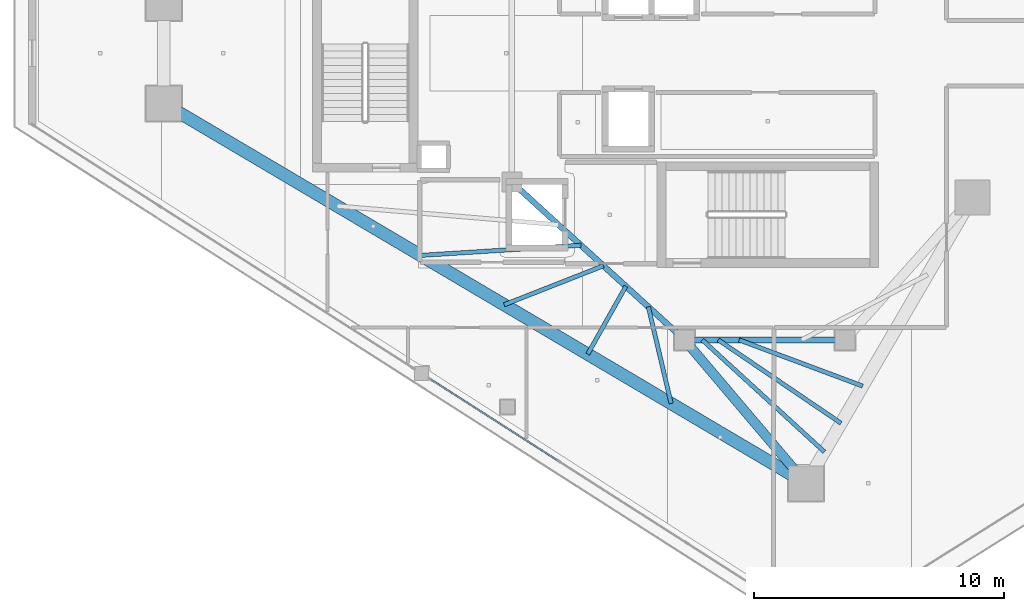
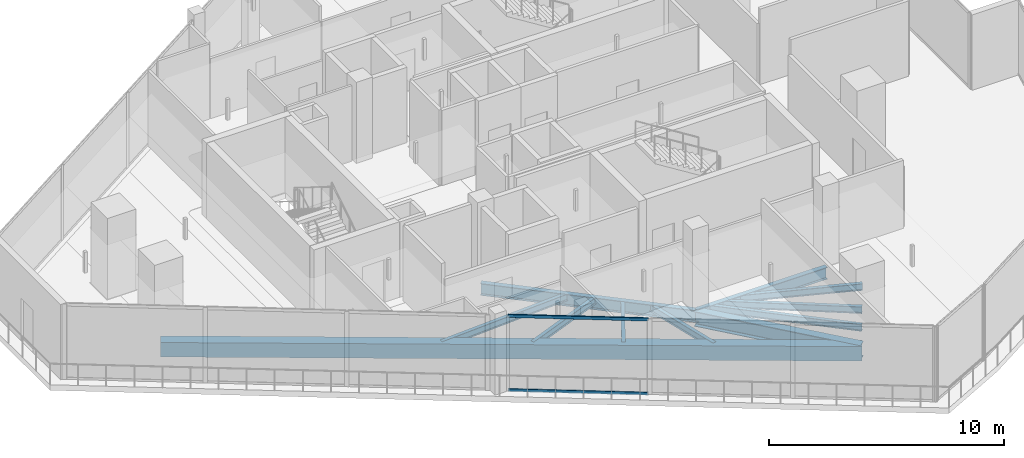
# One storey, part 4 of 25: 11 beams, 2 members, 1 element without a shape of its own.
"""IFC4 building model written with IfcOpenShell, lengths in metres."""

from ifc_helpers import new_model, si_unit, direction, frame, origin, origin_2d, place, context, subcontext, project, spatial, rectangle, hollow_rectangle, i_section, extrude, material, layer, layer_set, material_profile, profile_set, type_object, element, aggregate, save


model = new_model("IFC4")

# Units and contexts
model_context = context("Model", 3, precision=1e-05, world=origin(), true_north=direction((0.0, 1.0)))
body_context = subcontext(model_context, "Body", "Model", "MODEL_VIEW")
ifc_project = project(units=[si_unit("LENGTHUNIT", "METRE"), si_unit("AREAUNIT", "SQUARE_METRE"), si_unit("VOLUMEUNIT", "CUBIC_METRE"), si_unit("PLANEANGLEUNIT", "RADIAN"), si_unit("MASSUNIT", "GRAM", prefix="KILO")], contexts=[model_context])

# Site, building, storey
site_placement = place(None, origin())
site = spatial("IfcSite", under=ifc_project, at=site_placement, CompositionType="ELEMENT")
building_placement = place(site_placement, origin())
building = spatial("IfcBuilding", under=site, at=building_placement, Name="Qorvath Tower", CompositionType="ELEMENT")
storey_placement = place(building_placement, frame((0.0, 0.0, 297.60009765625)))
storey = spatial("IfcBuildingStorey", under=building, at=storey_placement, Name="L69", CompositionType="ELEMENT", Elevation=297.60009765625)

# Beams
ifc_material_1 = material(Name="Steel ASTM A992 Grade 50", Category="steel")
ifc_material_profile_1 = material_profile(ifc_material_1, i_section(OverallWidth=0.381103515625, OverallDepth=0.77294921875, WebThickness=0.0166015625, FlangeThickness=0.027099609375, FilletRadius=0.01904296875, at=origin_2d()), Name="W30x173")
ifc_profile_set_1 = profile_set([ifc_material_profile_1], Name="Steel ASTM A992 Grade 50")
beam_type_1 = type_object("IfcBeamType", Name="BM-FG3", PredefinedType="BEAM", material=ifc_profile_set_1)
beam_1_placement = place(storey_placement, frame((-23.60009765625, -11.449951171875, -0.676513671875), z_axis=(0.646321389876, -0.763065305848, 0.0), x_axis=(0.763065305848, 0.646321389876, 0.0)))
element("IfcBeam", 1, at=beam_1_placement, inside=storey, type_object=beam_type_1, Name="Radial Floor Girder CC4-MC3 L69", PredefinedType="BEAM", context=body_context, shape_type="SweptSolid", body=[
    extrude(i_section(OverallWidth=0.381103515625, OverallDepth=0.77294921875, WebThickness=0.0166015625, FlangeThickness=0.027099609375, FilletRadius=0.01904296875, at=origin_2d()), origin(), (0.0, 0.0, 1.0), 7.50341796875),
])
ifc_material_2 = material(Name="Steel ASTM A992 Grade 50", Category="steel")
ifc_material_profile_2 = material_profile(ifc_material_2, i_section(OverallWidth=0.22998046875, OverallDepth=0.616943359375, WebThickness=0.01318359375, FlangeThickness=0.022216796875, FilletRadius=0.014892578125, at=origin_2d()), Name="W24x94")
ifc_profile_set_2 = profile_set([ifc_material_profile_2], Name="Steel ASTM A992 Grade 50")
beam_type_2 = type_object("IfcBeamType", Name="BM-FG6", PredefinedType="BEAM", material=ifc_profile_set_2)
beam_2_placement = place(storey_placement, frame((-17.199951171875, -11.449951171875, -0.598388671875), z_axis=(-1.0, 0.0, 0.0), x_axis=(0.0, -1.0, 0.0)))
element("IfcBeam", 2, at=beam_2_placement, inside=storey, type_object=beam_type_2, Name="Core Ring Girder CC3-CC4 L69", PredefinedType="BEAM", context=body_context, shape_type="SweptSolid", body=[
    extrude(i_section(OverallWidth=0.22998046875, OverallDepth=0.616943359375, WebThickness=0.01318359375, FlangeThickness=0.022216796875, FilletRadius=0.014892578125, at=origin_2d()), origin(), (0.0, 0.0, 1.0), 6.400146484375),
])
beam_3_placement = place(storey_placement, frame((-23.60009765625, -11.449951171875, -0.598388671875), z_axis=(-0.73847813985, 0.6742774184, 0.0), x_axis=(-0.6742774184, -0.73847813985, 0.0)))
element("IfcBeam", 3, at=beam_3_placement, inside=storey, type_object=beam_type_2, Name="Core Ring Girder CC4-CC6 L69", PredefinedType="BEAM", context=body_context, shape_type="SweptSolid", body=[
    extrude(i_section(OverallWidth=0.22998046875, OverallDepth=0.616943359375, WebThickness=0.01318359375, FlangeThickness=0.022216796875, FilletRadius=0.014892578125, at=origin_2d()), origin(), (0.0, 0.0, 1.0), 9.343505859375),
])
ifc_material_3 = material(Name="Steel ASTM A992 Grade 50", Category="steel")
ifc_material_profile_3 = material_profile(ifc_material_3, i_section(OverallWidth=0.1708984375, OverallDepth=0.35107421875, WebThickness=0.0068359375, FlangeThickness=0.009765625, FilletRadius=0.010009765625, at=origin_2d()), Name="W14x30")
ifc_profile_set_3 = profile_set([ifc_material_profile_3], Name="Steel ASTM A992 Grade 50")
beam_type_3 = type_object("IfcBeamType", Name="BM-FJ4", PredefinedType="JOIST", material=ifc_profile_set_3)
beam_4_placement = place(storey_placement, frame((-21.424072265625, -11.449951171875, -0.465576171875), z_axis=(0.936775909139, -0.349929844478, 0.0), x_axis=(0.349929844478, 0.936775909139, 0.0)))
element("IfcBeam", 4, at=beam_4_placement, inside=storey, type_object=beam_type_3, Name="Composite Floor Joist SE5 L69", PredefinedType="JOIST", context=body_context, shape_type="SweptSolid", body=[
    extrude(i_section(OverallWidth=0.1708984375, OverallDepth=0.35107421875, WebThickness=0.0068359375, FlangeThickness=0.009765625, FilletRadius=0.010009765625, at=origin_2d()), origin(), (0.0, 0.0, 1.0), 5.268798828125),
])
beam_5_placement = place(storey_placement, frame((-22.256103515625, -11.449951171875, -0.465576171875), z_axis=(0.827400561462, -0.56161224247, 0.0), x_axis=(0.56161224247, 0.827400561462, 0.0)))
element("IfcBeam", 5, at=beam_5_placement, inside=storey, type_object=beam_type_3, Name="Composite Floor Joist SE6 L69", PredefinedType="JOIST", context=body_context, shape_type="SweptSolid", body=[
    extrude(i_section(OverallWidth=0.1708984375, OverallDepth=0.35107421875, WebThickness=0.0068359375, FlangeThickness=0.009765625, FilletRadius=0.010009765625, at=origin_2d()), origin(), (0.0, 0.0, 1.0), 5.925537109375),
])
beam_6_placement = place(storey_placement, frame((-22.89599609375, -11.449951171875, -0.465576171875), z_axis=(0.737232260457, -0.675639396528, 0.0), x_axis=(0.675639396528, 0.737232260457, 0.0)))
element("IfcBeam", 6, at=beam_6_placement, inside=storey, type_object=beam_type_3, Name="Composite Floor Joist SE7 L69", PredefinedType="JOIST", context=body_context, shape_type="SweptSolid", body=[
    extrude(i_section(OverallWidth=0.1708984375, OverallDepth=0.35107421875, WebThickness=0.0068359375, FlangeThickness=0.009765625, FilletRadius=0.010009765625, at=origin_2d()), origin(), (0.0, 0.0, 1.0), 6.615478515625),
])
beam_7_placement = place(storey_placement, frame((-27.739990234375, -7.669921875, -0.465576171875), z_axis=(-0.998006998641, -0.063103333222, 0.0), x_axis=(0.063103333222, -0.998006998641, 0.0)))
element("IfcBeam", 7, at=beam_7_placement, inside=storey, type_object=beam_type_3, Name="Composite Floor Joist SW3 L69", PredefinedType="JOIST", context=body_context, shape_type="SweptSolid", body=[
    extrude(i_section(OverallWidth=0.1708984375, OverallDepth=0.35107421875, WebThickness=0.0068359375, FlangeThickness=0.009765625, FilletRadius=0.010009765625, at=origin_2d()), origin(), (0.0, 0.0, 1.0), 6.41455078125),
])
beam_8_placement = place(storey_placement, frame((-26.843017578125, -8.489013671875, -0.465576171875), z_axis=(-0.930720832638, -0.365730408489, 0.0), x_axis=(0.365730408489, -0.930720832638, 0.0)))
element("IfcBeam", 8, at=beam_8_placement, inside=storey, type_object=beam_type_3, Name="Composite Floor Joist SW4 L69", PredefinedType="JOIST", context=body_context, shape_type="SweptSolid", body=[
    extrude(i_section(OverallWidth=0.1708984375, OverallDepth=0.35107421875, WebThickness=0.0068359375, FlangeThickness=0.009765625, FilletRadius=0.010009765625, at=origin_2d()), origin(), (0.0, 0.0, 1.0), 4.259033203125),
])
beam_9_placement = place(storey_placement, frame((-25.946044921875, -9.30810546875, -0.465576171875), z_axis=(-0.490626385489, -0.871370041866, 0.0), x_axis=(0.871370041866, -0.490626385489, 0.0)))
element("IfcBeam", 9, at=beam_9_placement, inside=storey, type_object=beam_type_3, Name="Composite Floor Joist SW5 L69", PredefinedType="JOIST", context=body_context, shape_type="SweptSolid", body=[
    extrude(i_section(OverallWidth=0.1708984375, OverallDepth=0.35107421875, WebThickness=0.0068359375, FlangeThickness=0.009765625, FilletRadius=0.010009765625, at=origin_2d()), origin(), (0.0, 0.0, 1.0), 3.110595703125),
])
beam_10_placement = place(storey_placement, frame((-25.049072265625, -10.126953125, -0.465576171875), z_axis=(0.22966321917, -0.973270160726, 0.0), x_axis=(0.973270160726, 0.22966321917, 0.0)))
element("IfcBeam", 10, at=beam_10_placement, inside=storey, type_object=beam_type_3, Name="Composite Floor Joist SW6 L69", PredefinedType="JOIST", context=body_context, shape_type="SweptSolid", body=[
    extrude(i_section(OverallWidth=0.1708984375, OverallDepth=0.35107421875, WebThickness=0.0068359375, FlangeThickness=0.009765625, FilletRadius=0.010009765625, at=origin_2d()), origin(), (0.0, 0.0, 1.0), 3.969482421875),
])
ifc_material_4 = material(Name="Concrete C45/55", Category="concrete")
ifc_material_profile_4 = material_profile(ifc_material_4, rectangle(XDim=0.5, YDim=0.75, at=origin_2d()), Name="RCB 750x500")
ifc_profile_set_4 = profile_set([ifc_material_profile_4], Name="Concrete C45/55")
beam_type_4 = type_object("IfcBeamType", Name="BM-RCB3", PredefinedType="SPANDREL", material=ifc_profile_set_4)
beam_11_placement = place(storey_placement, frame((-44.402587890625, -2.007568359375, -0.6650390625), z_axis=(0.860780849348, -0.508975765038, 0.0), x_axis=(0.508975765038, 0.860780849348, 0.0)))
element("IfcBeam", 11, at=beam_11_placement, inside=storey, type_object=beam_type_4, Name="Perimeter Loggia Frame Beam MC2-MC3 L69", PredefinedType="SPANDREL", context=body_context, shape_type="SweptSolid", body=[
    extrude(rectangle(XDim=0.5, YDim=0.75, at=origin_2d()), origin(), (0.0, 0.0, 1.0), 29.801025390625),
])

# Curtain wall, members
ifc_material_5 = material(Name="Anodised aluminium and triple low-E glass", Category="aluminium")
ifc_layer = layer(ifc_material_5, 0.179931640625)
ifc_layer_set = layer_set([ifc_layer], Name="CW-SYS-5")
curtain_wall_type = type_object("IfcCurtainWallType", Name="CW-SYS-5", PredefinedType="NOTDEFINED", material=ifc_layer_set)
curtain_wall_placement = place(storey_placement, origin())
curtain_wall = element("IfcCurtainWall", 12, at=curtain_wall_placement, inside=storey, type_object=curtain_wall_type, Name="Curtain Wall CW-5 CW-T-L69-2.2", PredefinedType="NOTDEFINED")
ifc_material_6 = material(Name="Anodised aluminium 6063-T6", Category="aluminium")
ifc_material_profile_5 = material_profile(ifc_material_6, hollow_rectangle(XDim=0.06494140625, YDim=0.159912109375, WallThickness=0.00341796875, InnerFilletRadius=0.00341796875, OuterFilletRadius=0.007080078125, at=origin_2d()), Name="CWT 160x65")
ifc_profile_set_5 = profile_set([ifc_material_profile_5], Name="Anodised aluminium 6063-T6")
member_type = type_object("IfcMemberType", Name="CWT-160", PredefinedType="USERDEFINED", material=ifc_profile_set_5)
member_1_placement = place(storey_placement, frame((-33.720947265625, -13.03759765625, 0.032470703125), z_axis=(0.842607210603, -0.538528633074, 0.0), x_axis=(0.538528633074, 0.842607210603, 0.0)))
member_1 = element("IfcMember", 13, at=member_1_placement, type_object=member_type, Name="CW-5 transom 1.1", ObjectType="TRANSOM", PredefinedType="USERDEFINED", context=body_context, shape_type="SweptSolid", body=[
    extrude(hollow_rectangle(XDim=0.06494140625, YDim=0.159912109375, WallThickness=0.00341796875, InnerFilletRadius=0.00341796875, OuterFilletRadius=0.007080078125, at=origin_2d()), origin(), (0.0, 0.0, 1.0), 5.978271484375),
])
member_2_placement = place(storey_placement, frame((-33.720947265625, -13.03759765625, 3.87744140625), z_axis=(0.842607210603, -0.538528633074, 0.0), x_axis=(0.538528633074, 0.842607210603, 0.0)))
member_2 = element("IfcMember", 14, at=member_2_placement, type_object=member_type, Name="CW-5 transom 1.2", ObjectType="TRANSOM", PredefinedType="USERDEFINED", context=body_context, shape_type="SweptSolid", body=[
    extrude(hollow_rectangle(XDim=0.06494140625, YDim=0.159912109375, WallThickness=0.00341796875, InnerFilletRadius=0.00341796875, OuterFilletRadius=0.007080078125, at=origin_2d()), origin(), (0.0, 0.0, 1.0), 5.978271484375),
])
aggregate(curtain_wall, [member_1, member_2])

save(model, "model.ifc")
